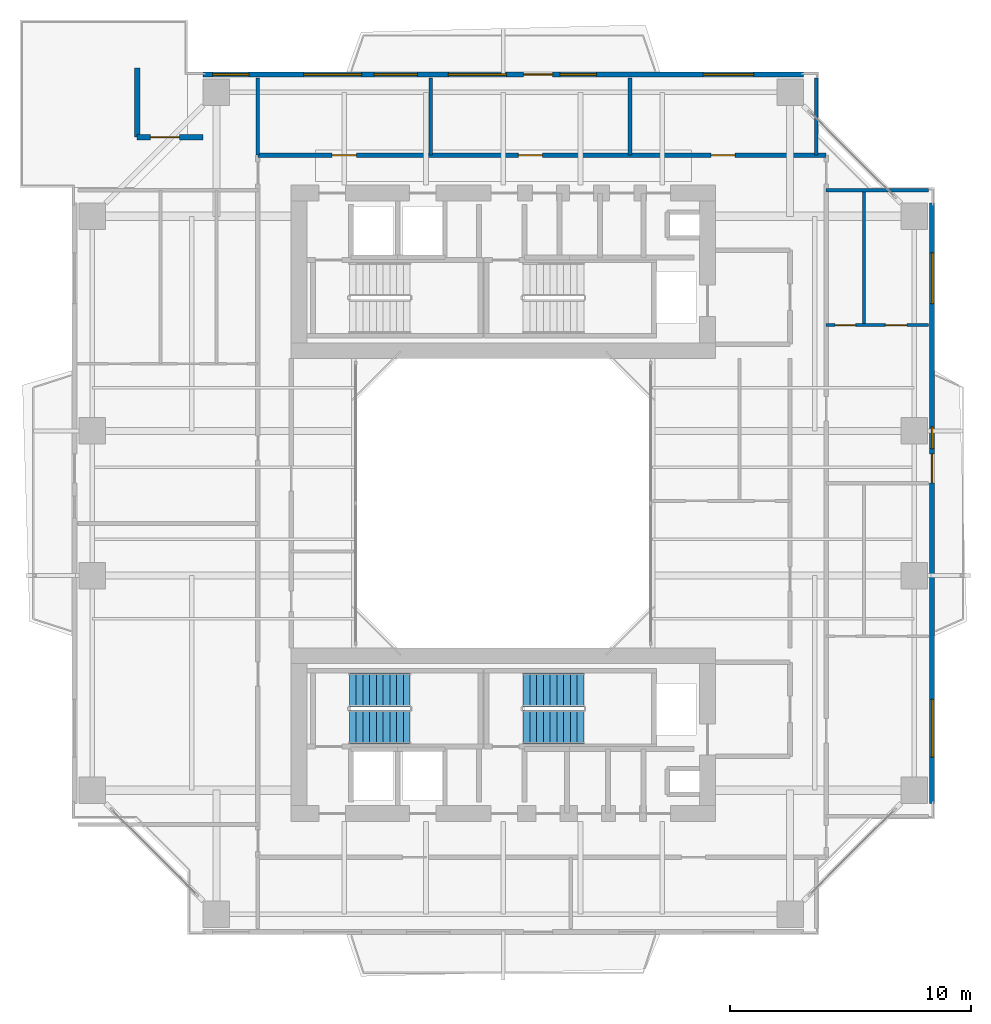
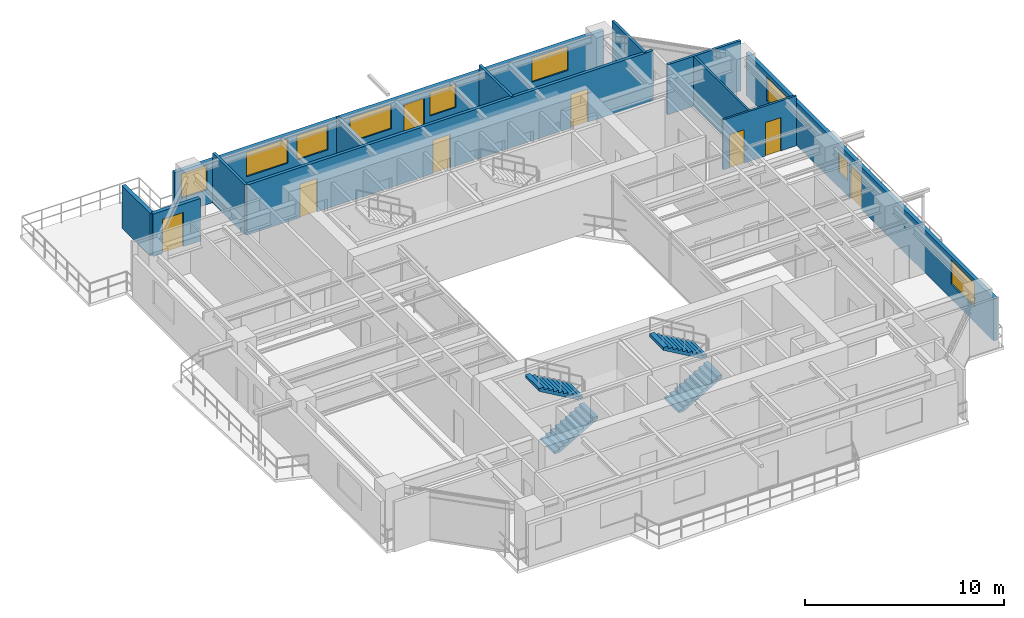
# One storey, part 13 of 17: 12 walls, 9 windows, 8 doors, 4 stair flights, 17 openings, 2 elements without a shape of their own.
"""IFC4 building model written with IfcOpenShell, lengths in metres."""

from ifc_helpers import new_model, si_unit, direction, frame, frame_2d, origin, place, context, subcontext, project, spatial, polyline, rectangle, outline, extrude, source, transform, mapped, material, layer, layer_set, type_object, element, fill, aggregate, save


model = new_model("IFC4")

# Units and contexts
model_context = context("Model", 3, precision=1e-05, world=origin(), true_north=direction((0.0, 1.0)))
body_context = subcontext(model_context, "Body", "Model", "MODEL_VIEW")
ifc_project = project(units=[si_unit("LENGTHUNIT", "METRE"), si_unit("AREAUNIT", "SQUARE_METRE"), si_unit("VOLUMEUNIT", "CUBIC_METRE"), si_unit("PLANEANGLEUNIT", "RADIAN"), si_unit("MASSUNIT", "GRAM", prefix="KILO"), si_unit("THERMODYNAMICTEMPERATUREUNIT", "KELVIN"), si_unit("POWERUNIT", "WATT")], contexts=[model_context])

# Site, building, storey
site_placement = place(None, origin())
site = spatial("IfcSite", under=ifc_project, at=site_placement, CompositionType="ELEMENT")
building_placement = place(site_placement, origin())
building = spatial("IfcBuilding", under=site, at=building_placement, Name="Qiaomeng Ring Towers", CompositionType="ELEMENT")
storey_placement = place(building_placement, frame((0.0, 0.0, 132.75)))
storey = spatial("IfcBuildingStorey", under=building, at=storey_placement, Name="L38", CompositionType="ELEMENT", Elevation=132.75)

# Wall, openings, windows, door
ifc_material_1 = material(Name="Precast concrete C40", Category="concrete")
ifc_layer_1 = layer(ifc_material_1, 0.219970703125, Name="Precast concrete C40")
ifc_layer_set_1 = layer_set([ifc_layer_1], Name="Precast concrete C40")
wall_type_1 = type_object("IfcWallType", Name="ARC-WL-EW2", PredefinedType="STANDARD", material=ifc_layer_set_1)
wall_1_placement = place(storey_placement, frame((6.550048828125, 40.7900390625, 0.0), z_axis=(0.0, 0.0, 1.0), x_axis=(1.0, 0.0, 0.0)))
wall_1 = element("IfcWall", 1, at=wall_1_placement, inside=storey, type_object=wall_type_1, Name="L38 Tower 1 N Exterior Wall", PredefinedType="STANDARD", context=body_context, shape_type="SweptSolid", body=[
    extrude(rectangle(XDim=24.89990234375, YDim=0.219970703125, at=frame_2d((12.449951171875, 0.0))), origin(), (0.0, 0.0, 1.0), 2.610107421875),
])
opening_1_placement = place(wall_1_placement, frame((13.300048828125, 0.0, 0.0)))
opening_1 = element("IfcOpeningElement", 2, at=opening_1_placement, cuts=wall_1, Name="Opening BD1", PredefinedType="OPENING", context=body_context, shape_type="SweptSolid", body=[
    extrude(rectangle(XDim=1.199951171875, YDim=2.10009765625, at=frame_2d((0.60009765625, 1.050048828125))), frame((0.0, 0.119873046875, 0.0), z_axis=(0.0, -1.0, 0.0), x_axis=(1.0, 0.0, 0.0)), (0.0, 0.0, 1.0), 0.239990234375),
])
opening_2_placement = place(wall_1_placement, frame((0.392578125, 0.0, 0.89990234375)))
opening_2 = element("IfcOpeningElement", 3, at=opening_2_placement, cuts=wall_1, Name="Opening WN2", PredefinedType="OPENING", context=body_context, shape_type="SweptSolid", body=[
    extrude(rectangle(XDim=1.5, YDim=1.5, at=frame_2d((0.75, 0.75))), frame((0.0, 0.119873046875, 0.0), z_axis=(0.0, -1.0, 0.0), x_axis=(1.0, 0.0, 0.0)), (0.0, 0.0, 1.0), 0.239990234375),
])
opening_3_placement = place(wall_1_placement, frame((7.08837890625, 0.0, 0.89990234375)))
opening_3 = element("IfcOpeningElement", 4, at=opening_3_placement, cuts=wall_1, Name="Opening WN1", PredefinedType="OPENING", context=body_context, shape_type="SweptSolid", body=[
    extrude(rectangle(XDim=1.800048828125, YDim=1.5, at=frame_2d((0.89990234375, 0.75))), frame((0.0, 0.119873046875, 0.0), z_axis=(0.0, -1.0, 0.0), x_axis=(1.0, 0.0, 0.0)), (0.0, 0.0, 1.0), 0.239990234375),
])
opening_4_placement = place(wall_1_placement, frame((14.81298828125, 0.0, 0.89990234375)))
opening_4 = element("IfcOpeningElement", 5, at=opening_4_placement, cuts=wall_1, Name="Opening WN2", PredefinedType="OPENING", context=body_context, shape_type="SweptSolid", body=[
    extrude(rectangle(XDim=1.5, YDim=1.449951171875, at=frame_2d((0.75, 0.72509765625))), frame((0.0, 0.119873046875, 0.0), z_axis=(0.0, -1.0, 0.0), x_axis=(1.0, 0.0, 0.0)), (0.0, 0.0, 1.0), 0.239990234375),
])
opening_5_placement = place(wall_1_placement, frame((20.738037109375, 0.0, 0.89990234375)))
opening_5 = element("IfcOpeningElement", 6, at=opening_5_placement, cuts=wall_1, Name="Opening WN4", PredefinedType="OPENING", context=body_context, shape_type="SweptSolid", body=[
    extrude(rectangle(XDim=2.10009765625, YDim=1.47998046875, at=frame_2d((1.050048828125, 0.739990234375))), frame((0.0, 0.119873046875, 0.0), z_axis=(0.0, -1.0, 0.0), x_axis=(1.0, 0.0, 0.0)), (0.0, 0.0, 1.0), 0.239990234375),
])
opening_6_placement = place(wall_1_placement, frame((4.17138671875, 0.0, 0.89990234375)))
opening_6 = element("IfcOpeningElement", 7, at=opening_6_placement, cuts=wall_1, Name="Opening WN6", PredefinedType="OPENING", context=body_context, shape_type="SweptSolid", body=[
    extrude(rectangle(XDim=2.39990234375, YDim=1.5, at=frame_2d((1.199951171875, 0.75))), frame((0.0, 0.119873046875, 0.0), z_axis=(0.0, -1.0, 0.0), x_axis=(1.0, 0.0, 0.0)), (0.0, 0.0, 1.0), 0.239990234375),
])
opening_7_placement = place(wall_1_placement, frame((10.177490234375, 0.0, 0.89990234375)))
opening_7 = element("IfcOpeningElement", 8, at=opening_7_placement, cuts=wall_1, Name="Opening WN6", PredefinedType="OPENING", context=body_context, shape_type="SweptSolid", body=[
    extrude(rectangle(XDim=2.39990234375, YDim=1.5, at=frame_2d((1.199951171875, 0.75))), frame((0.0, 0.119873046875, 0.0), z_axis=(0.0, -1.0, 0.0), x_axis=(1.0, 0.0, 0.0)), (0.0, 0.0, 1.0), 0.239990234375),
])
ifc_material_2 = material(Name="Low-E dark-grey laminated double glazing", Category="glass")
window_type_1 = type_object("IfcWindowType", Name="ARC-WN-2", PartitioningType="DOUBLE_PANEL_VERTICAL", PredefinedType="WINDOW", material=ifc_material_2)
shared_shape_1 = source(origin(), body_context, "Body", "SweptSolid", [
    extrude(rectangle(XDim=1.5, YDim=1.449951171875, at=frame_2d((0.75, 0.72509765625))), frame((0.0, 0.030029296875, 0.0), z_axis=(0.0, -1.0, 0.0), x_axis=(1.0, 0.0, 0.0)), (0.0, 0.0, 1.0), 0.06005859375),
])
window_1_placement = place(opening_4_placement, origin())
window_1 = element("IfcWindow", 9, at=window_1_placement, inside=storey, type_object=window_type_1, Name="L38 Exterior Window WN2", OverallHeight=1.449951171875, OverallWidth=1.5, PartitioningType="DOUBLE_PANEL_VERTICAL", PredefinedType="WINDOW", context=body_context, shape_type="MappedRepresentation", body=[
    mapped(shared_shape_1, transform((0.0, 0.0, 0.0), x_axis=(1.0, 0.0, 0.0), y_axis=(0.0, 1.0, 0.0), z_axis=(0.0, 0.0, 1.0), scale=1.0)),
])
fill(opening_4, window_1)
window_type_2 = type_object("IfcWindowType", Name="ARC-WN-4", PartitioningType="TRIPLE_PANEL_VERTICAL", PredefinedType="WINDOW", material=ifc_material_2)
shared_shape_2 = source(origin(), body_context, "Body", "SweptSolid", [
    extrude(rectangle(XDim=2.10009765625, YDim=1.47998046875, at=frame_2d((1.050048828125, 0.739990234375))), frame((0.0, 0.030029296875, 0.0), z_axis=(0.0, -1.0, 0.0), x_axis=(1.0, 0.0, 0.0)), (0.0, 0.0, 1.0), 0.06005859375),
])
window_2_placement = place(opening_5_placement, origin())
window_2 = element("IfcWindow", 10, at=window_2_placement, inside=storey, type_object=window_type_2, Name="L38 Exterior Window WN4", OverallHeight=1.47998046875, OverallWidth=2.10009765625, PartitioningType="TRIPLE_PANEL_VERTICAL", PredefinedType="WINDOW", context=body_context, shape_type="MappedRepresentation", body=[
    mapped(shared_shape_2, transform((0.0, 0.0, 0.0), x_axis=(1.0, 0.0, 0.0), y_axis=(0.0, 1.0, 0.0), z_axis=(0.0, 0.0, 1.0), scale=1.0)),
])
fill(opening_5, window_2)
door_type_1 = type_object("IfcDoorType", Name="ARC-DR-BD1", OperationType="NOTDEFINED", PredefinedType="DOOR", material=ifc_material_2)
shared_shape_3 = source(origin(), body_context, "Body", "SweptSolid", [
    extrude(rectangle(XDim=1.199951171875, YDim=2.10009765625, at=frame_2d((0.60009765625, 1.050048828125))), frame((0.0, 0.02490234375, 0.0), z_axis=(0.0, -1.0, 0.0), x_axis=(1.0, 0.0, 0.0)), (0.0, 0.0, 1.0), 0.050048828125),
])
door_1_placement = place(opening_1_placement, origin())
door_1 = element("IfcDoor", 11, at=door_1_placement, inside=storey, type_object=door_type_1, Name="L38 N Balcony Glazed Door", OperationType="SINGLE_SWING_LEFT", OverallHeight=2.10009765625, OverallWidth=1.199951171875, PredefinedType="DOOR", context=body_context, shape_type="MappedRepresentation", body=[
    mapped(shared_shape_3, transform((0.0, 0.0, 0.0), x_axis=(1.0, 0.0, 0.0), y_axis=(0.0, 1.0, 0.0), z_axis=(0.0, 0.0, 1.0), scale=1.0)),
])
fill(opening_1, door_1)
shared_shape_4 = source(origin(), body_context, "Body", "SweptSolid", [
    extrude(rectangle(XDim=1.5, YDim=1.5, at=frame_2d((0.75, 0.75))), frame((0.0, 0.030029296875, 0.0), z_axis=(0.0, -1.0, 0.0), x_axis=(1.0, 0.0, 0.0)), (0.0, 0.0, 1.0), 0.06005859375),
])
window_3_placement = place(opening_2_placement, origin())
window_3 = element("IfcWindow", 12, at=window_3_placement, inside=storey, type_object=window_type_1, Name="L38 Exterior Window WN6", OverallHeight=1.5, OverallWidth=1.5, PartitioningType="TRIPLE_PANEL_VERTICAL", PredefinedType="WINDOW", context=body_context, shape_type="MappedRepresentation", body=[
    mapped(shared_shape_4, transform((0.0, 0.0, 0.0), x_axis=(1.0, 0.0, 0.0), y_axis=(0.0, 1.0, 0.0), z_axis=(0.0, 0.0, 1.0), scale=1.0)),
])
fill(opening_2, window_3)
window_type_3 = type_object("IfcWindowType", Name="ARC-WN-6", PartitioningType="TRIPLE_PANEL_VERTICAL", PredefinedType="WINDOW", material=ifc_material_2)
shared_shape_5 = source(origin(), body_context, "Body", "SweptSolid", [
    extrude(rectangle(XDim=2.39990234375, YDim=1.5, at=frame_2d((1.199951171875, 0.75))), frame((0.0, 0.030029296875, 0.0), z_axis=(0.0, -1.0, 0.0), x_axis=(1.0, 0.0, 0.0)), (0.0, 0.0, 1.0), 0.06005859375),
])
window_4_placement = place(opening_6_placement, origin())
window_4 = element("IfcWindow", 13, at=window_4_placement, inside=storey, type_object=window_type_3, Name="L38 Exterior Window WN6", OverallHeight=1.5, OverallWidth=2.39990234375, PartitioningType="TRIPLE_PANEL_VERTICAL", PredefinedType="WINDOW", context=body_context, shape_type="MappedRepresentation", body=[
    mapped(shared_shape_5, transform((0.0, 0.0, 0.0), x_axis=(1.0, 0.0, 0.0), y_axis=(0.0, 1.0, 0.0), z_axis=(0.0, 0.0, 1.0), scale=1.0)),
])
fill(opening_6, window_4)
window_5_placement = place(opening_7_placement, origin())
window_5 = element("IfcWindow", 14, at=window_5_placement, inside=storey, type_object=window_type_3, Name="L38 Exterior Window WN6", OverallHeight=1.5, OverallWidth=2.39990234375, PartitioningType="TRIPLE_PANEL_VERTICAL", PredefinedType="WINDOW", context=body_context, shape_type="MappedRepresentation", body=[
    mapped(shared_shape_5, transform((0.0, 0.0, 0.0), x_axis=(1.0, 0.0, 0.0), y_axis=(0.0, 1.0, 0.0), z_axis=(0.0, 0.0, 1.0), scale=1.0)),
])
fill(opening_7, window_5)
window_type_4 = type_object("IfcWindowType", Name="ARC-WN-1", PartitioningType="DOUBLE_PANEL_VERTICAL", PredefinedType="WINDOW", material=ifc_material_2)
shared_shape_6 = source(origin(), body_context, "Body", "SweptSolid", [
    extrude(rectangle(XDim=1.800048828125, YDim=1.5, at=frame_2d((0.89990234375, 0.75))), frame((0.0, 0.030029296875, 0.0), z_axis=(0.0, -1.0, 0.0), x_axis=(1.0, 0.0, 0.0)), (0.0, 0.0, 1.0), 0.06005859375),
])
window_6_placement = place(opening_3_placement, origin())
window_6 = element("IfcWindow", 15, at=window_6_placement, inside=storey, type_object=window_type_4, Name="L38 Exterior Window WN1", OverallHeight=1.5, OverallWidth=1.800048828125, PartitioningType="DOUBLE_PANEL_VERTICAL", PredefinedType="WINDOW", context=body_context, shape_type="MappedRepresentation", body=[
    mapped(shared_shape_6, transform((0.0, 0.0, 0.0), x_axis=(1.0, 0.0, 0.0), y_axis=(0.0, 1.0, 0.0), z_axis=(0.0, 0.0, 1.0), scale=1.0)),
])
fill(opening_3, window_6)

wall_2_placement = place(storey_placement, frame((36.7900390625, 10.550048828125, 0.0), z_axis=(0.0, 0.0, 1.0), x_axis=(0.0, 1.0, 0.0)))
wall_2 = element("IfcWall", 16, at=wall_2_placement, inside=storey, type_object=wall_type_1, Name="L38 Tower 1 E Exterior Wall", PredefinedType="STANDARD", context=body_context, shape_type="SweptSolid", body=[
    extrude(rectangle(XDim=24.89990234375, YDim=0.219970703125, at=frame_2d((12.449951171875, 0.0))), origin(), (0.0, 0.0, 1.0), 2.610107421875),
])
opening_8_placement = place(wall_2_placement, frame((13.300048828125, 0.0, 0.0)))
opening_8 = element("IfcOpeningElement", 17, at=opening_8_placement, cuts=wall_2, Name="Opening BD1", PredefinedType="OPENING", context=body_context, shape_type="SweptSolid", body=[
    extrude(rectangle(XDim=1.199951171875, YDim=2.10009765625, at=frame_2d((0.60009765625, 1.050048828125))), frame((0.0, 0.119873046875, 0.0), z_axis=(0.0, -1.0, 0.0), x_axis=(1.0, 0.0, 0.0)), (0.0, 0.0, 1.0), 0.239990234375),
])
opening_9_placement = place(wall_2_placement, frame((1.912109375, 0.0, 0.89990234375)))
opening_9 = element("IfcOpeningElement", 18, at=opening_9_placement, cuts=wall_2, Name="Opening WN6", PredefinedType="OPENING", context=body_context, shape_type="SweptSolid", body=[
    extrude(rectangle(XDim=2.39990234375, YDim=1.47998046875, at=frame_2d((1.199951171875, 0.739990234375))), frame((0.0, 0.119873046875, 0.0), z_axis=(0.0, -1.0, 0.0), x_axis=(1.0, 0.0, 0.0)), (0.0, 0.0, 1.0), 0.239990234375),
])
opening_10_placement = place(wall_2_placement, frame((20.737060546875, 0.0, 0.89990234375)))
opening_10 = element("IfcOpeningElement", 19, at=opening_10_placement, cuts=wall_2, Name="Opening WN4", PredefinedType="OPENING", context=body_context, shape_type="SweptSolid", body=[
    extrude(rectangle(XDim=2.10009765625, YDim=1.47998046875, at=frame_2d((1.050048828125, 0.739990234375))), frame((0.0, 0.119873046875, 0.0), z_axis=(0.0, -1.0, 0.0), x_axis=(1.0, 0.0, 0.0)), (0.0, 0.0, 1.0), 0.239990234375),
])
opening_11_placement = place(wall_2_placement, frame((14.719970703125, 0.0, 0.89990234375)))
opening_11 = element("IfcOpeningElement", 20, at=opening_11_placement, cuts=wall_2, Name="Opening WN5", PredefinedType="OPENING", context=body_context, shape_type="SweptSolid", body=[
    extrude(rectangle(XDim=0.89990234375, YDim=1.199951171875, at=frame_2d((0.449951171875, 0.60009765625))), frame((0.0, 0.119873046875, 0.0), z_axis=(0.0, -1.0, 0.0), x_axis=(1.0, 0.0, 0.0)), (0.0, 0.0, 1.0), 0.239990234375),
])
window_7_placement = place(opening_10_placement, origin())
window_7 = element("IfcWindow", 21, at=window_7_placement, inside=storey, type_object=window_type_2, Name="L38 Exterior Window WN4", OverallHeight=1.47998046875, OverallWidth=2.10009765625, PartitioningType="TRIPLE_PANEL_VERTICAL", PredefinedType="WINDOW", context=body_context, shape_type="MappedRepresentation", body=[
    mapped(shared_shape_2, transform((0.0, 0.0, 0.0), x_axis=(1.0, 0.0, 0.0), y_axis=(0.0, 1.0, 0.0), z_axis=(0.0, 0.0, 1.0), scale=1.0)),
])
fill(opening_10, window_7)
shared_shape_7 = source(origin(), body_context, "Body", "SweptSolid", [
    extrude(rectangle(XDim=2.39990234375, YDim=1.47998046875, at=frame_2d((1.199951171875, 0.739990234375))), frame((0.0, 0.030029296875, 0.0), z_axis=(0.0, -1.0, 0.0), x_axis=(1.0, 0.0, 0.0)), (0.0, 0.0, 1.0), 0.06005859375),
])
window_8_placement = place(opening_9_placement, origin())
window_8 = element("IfcWindow", 22, at=window_8_placement, inside=storey, type_object=window_type_3, Name="L38 Exterior Window WN6", OverallHeight=1.47998046875, OverallWidth=2.39990234375, PartitioningType="TRIPLE_PANEL_VERTICAL", PredefinedType="WINDOW", context=body_context, shape_type="MappedRepresentation", body=[
    mapped(shared_shape_7, transform((0.0, 0.0, 0.0), x_axis=(1.0, 0.0, 0.0), y_axis=(0.0, 1.0, 0.0), z_axis=(0.0, 0.0, 1.0), scale=1.0)),
])
fill(opening_9, window_8)
door_2_placement = place(opening_8_placement, origin())
door_2 = element("IfcDoor", 23, at=door_2_placement, inside=storey, type_object=door_type_1, Name="L38 E Balcony Glazed Door", OperationType="SINGLE_SWING_LEFT", OverallHeight=2.10009765625, OverallWidth=1.199951171875, PredefinedType="DOOR", context=body_context, shape_type="MappedRepresentation", body=[
    mapped(shared_shape_3, transform((0.0, 0.0, 0.0), x_axis=(1.0, 0.0, 0.0), y_axis=(0.0, 1.0, 0.0), z_axis=(0.0, 0.0, 1.0), scale=1.0)),
])
fill(opening_8, door_2)
window_type_5 = type_object("IfcWindowType", Name="ARC-WN-5", PartitioningType="SINGLE_PANEL", PredefinedType="WINDOW", material=ifc_material_2)
shared_shape_8 = source(origin(), body_context, "Body", "SweptSolid", [
    extrude(rectangle(XDim=0.89990234375, YDim=1.199951171875, at=frame_2d((0.449951171875, 0.60009765625))), frame((0.0, 0.030029296875, 0.0), z_axis=(0.0, -1.0, 0.0), x_axis=(1.0, 0.0, 0.0)), (0.0, 0.0, 1.0), 0.06005859375),
])
window_9_placement = place(opening_11_placement, origin())
window_9 = element("IfcWindow", 24, at=window_9_placement, inside=storey, type_object=window_type_5, Name="L38 Exterior Window WN5", OverallHeight=1.199951171875, OverallWidth=0.89990234375, PartitioningType="SINGLE_PANEL", PredefinedType="WINDOW", context=body_context, shape_type="MappedRepresentation", body=[
    mapped(shared_shape_8, transform((0.0, 0.0, 0.0), x_axis=(1.0, 0.0, 0.0), y_axis=(0.0, 1.0, 0.0), z_axis=(0.0, 0.0, 1.0), scale=1.0)),
])
fill(opening_11, window_9)

# Wall, opening, door
wall_3_placement = place(storey_placement, frame((3.81005859375, 38.18994140625, 0.0), z_axis=(0.0, 0.0, 1.0), x_axis=(1.0, 0.0, 0.0)))
wall_3 = element("IfcWall", 25, at=wall_3_placement, inside=storey, type_object=wall_type_1, Name="L38 Spiral Terrace Wall NW", PredefinedType="STANDARD", context=body_context, shape_type="SweptSolid", body=[
    extrude(rectangle(XDim=2.739990234375, YDim=0.219970703125, at=frame_2d((1.3701171875, 0.0))), origin(), (0.0, 0.0, 1.0), 2.610107421875),
])
opening_12_placement = place(wall_3_placement, frame((0.550048828125, 0.0, 0.0)))
opening_12 = element("IfcOpeningElement", 26, at=opening_12_placement, cuts=wall_3, Name="Opening BD1", PredefinedType="OPENING", context=body_context, shape_type="SweptSolid", body=[
    extrude(rectangle(XDim=1.199951171875, YDim=2.10009765625, at=frame_2d((0.60009765625, 1.050048828125))), frame((0.0, 0.119873046875, 0.0), z_axis=(0.0, -1.0, 0.0), x_axis=(1.0, 0.0, 0.0)), (0.0, 0.0, 1.0), 0.239990234375),
])
door_3_placement = place(opening_12_placement, frame((1.199951171875, 0.0, 0.0), z_axis=(0.0, 0.0, 1.0), x_axis=(-1.0, 0.0, 0.0)))
door_3 = element("IfcDoor", 27, at=door_3_placement, inside=storey, type_object=door_type_1, Name="L38 Spiral Sky Terrace Door NW", OperationType="SINGLE_SWING_LEFT", OverallHeight=2.10009765625, OverallWidth=1.199951171875, PredefinedType="DOOR", context=body_context, shape_type="MappedRepresentation", body=[
    mapped(shared_shape_3, transform((0.0, 0.0, 0.0), x_axis=(1.0, 0.0, 0.0), y_axis=(0.0, 1.0, 0.0), z_axis=(0.0, 0.0, 1.0), scale=1.0)),
])
fill(opening_12, door_3)

# Wall
wall_4_placement = place(storey_placement, frame((3.81005859375, 38.18994140625, 0.0), z_axis=(0.0, 0.0, 1.0), x_axis=(0.0, 1.0, 0.0)))
element("IfcWall", 28, at=wall_4_placement, inside=storey, type_object=wall_type_1, Name="L38 Spiral Terrace Return Wall NW", PredefinedType="STANDARD", context=body_context, shape_type="SweptSolid", body=[
    extrude(rectangle(XDim=2.860107421875, YDim=0.219970703125, at=frame_2d((1.43017578125, 0.0))), origin(), (0.0, 0.0, 1.0), 2.610107421875),
])

# Wall, openings, doors
ifc_material_3 = material(Name="Autoclaved aerated concrete block", Category="concrete")
ifc_layer_2 = layer(ifc_material_3, 0.179931640625, Name="Autoclaved aerated concrete block")
ifc_layer_set_2 = layer_set([ifc_layer_2], Name="Autoclaved aerated concrete block")
wall_type_2 = type_object("IfcWallType", Name="ARC-WL-PW2", PredefinedType="PARTITIONING", material=ifc_layer_set_2)
wall_5_placement = place(storey_placement, frame((8.820068359375, 37.43994140625, 0.0), z_axis=(0.0, 0.0, 1.0), x_axis=(1.0, 0.0, 0.0)))
wall_5 = element("IfcWall", 29, at=wall_5_placement, inside=storey, type_object=wall_type_2, Name="L38 Interior Wall PW2", PredefinedType="PARTITIONING", context=body_context, shape_type="SweptSolid", body=[
    extrude(rectangle(XDim=23.579833984375, YDim=0.179931640625, at=frame_2d((11.7900390625, 0.0))), origin(), (0.0, 0.0, 1.0), 3.070068359375),
])
opening_13_placement = place(wall_5_placement, frame((3.0849609375, 0.0, 0.0)))
opening_13 = element("IfcOpeningElement", 30, at=opening_13_placement, cuts=wall_5, Name="Opening FD4", PredefinedType="OPENING", context=body_context, shape_type="SweptSolid", body=[
    extrude(rectangle(XDim=1.0, YDim=2.050048828125, at=frame_2d((0.5, 1.02490234375))), frame((0.0, 0.099853515625, 0.0), z_axis=(0.0, -1.0, 0.0), x_axis=(1.0, 0.0, 0.0)), (0.0, 0.0, 1.0), 0.199951171875),
])
opening_14_placement = place(wall_5_placement, frame((10.804931640625, 0.0, 0.0)))
opening_14 = element("IfcOpeningElement", 31, at=opening_14_placement, cuts=wall_5, Name="Opening FD4", PredefinedType="OPENING", context=body_context, shape_type="SweptSolid", body=[
    extrude(rectangle(XDim=1.0, YDim=2.050048828125, at=frame_2d((0.5, 1.02490234375))), frame((0.0, 0.099853515625, 0.0), z_axis=(0.0, -1.0, 0.0), x_axis=(1.0, 0.0, 0.0)), (0.0, 0.0, 1.0), 0.199951171875),
])
opening_15_placement = place(wall_5_placement, frame((18.800048828125, 0.0, 0.0)))
opening_15 = element("IfcOpeningElement", 32, at=opening_15_placement, cuts=wall_5, Name="Opening FD4", PredefinedType="OPENING", context=body_context, shape_type="SweptSolid", body=[
    extrude(rectangle(XDim=1.0, YDim=2.050048828125, at=frame_2d((0.5, 1.02490234375))), frame((0.0, 0.099853515625, 0.0), z_axis=(0.0, -1.0, 0.0), x_axis=(1.0, 0.0, 0.0)), (0.0, 0.0, 1.0), 0.199951171875),
])
ifc_material_4 = material(Name="Engineered fire-rated oak timber", Category="wood")
door_type_2 = type_object("IfcDoorType", Name="ARC-DR-FD4", OperationType="NOTDEFINED", PredefinedType="DOOR", material=ifc_material_4)
shared_shape_9 = source(origin(), body_context, "Body", "SweptSolid", [
    extrude(rectangle(XDim=1.0, YDim=2.050048828125, at=frame_2d((0.5, 1.02490234375))), frame((0.0, 0.02490234375, 0.0), z_axis=(0.0, -1.0, 0.0), x_axis=(1.0, 0.0, 0.0)), (0.0, 0.0, 1.0), 0.050048828125),
])
door_4_placement = place(opening_13_placement, origin())
door_4 = element("IfcDoor", 33, at=door_4_placement, inside=storey, type_object=door_type_2, Name="L38 Door FD4", OperationType="SINGLE_SWING_LEFT", OverallHeight=2.050048828125, OverallWidth=1.0, PredefinedType="DOOR", context=body_context, shape_type="MappedRepresentation", body=[
    mapped(shared_shape_9, transform((0.0, 0.0, 0.0), x_axis=(1.0, 0.0, 0.0), y_axis=(0.0, 1.0, 0.0), z_axis=(0.0, 0.0, 1.0), scale=1.0)),
])
fill(opening_13, door_4)
door_5_placement = place(opening_14_placement, origin())
door_5 = element("IfcDoor", 34, at=door_5_placement, inside=storey, type_object=door_type_2, Name="L38 Door FD4", OperationType="SINGLE_SWING_RIGHT", OverallHeight=2.050048828125, OverallWidth=1.0, PredefinedType="DOOR", context=body_context, shape_type="MappedRepresentation", body=[
    mapped(shared_shape_9, transform((0.0, 0.0, 0.0), x_axis=(1.0, 0.0, 0.0), y_axis=(0.0, 1.0, 0.0), z_axis=(0.0, 0.0, 1.0), scale=1.0)),
])
fill(opening_14, door_5)
door_6_placement = place(opening_15_placement, origin())
door_6 = element("IfcDoor", 35, at=door_6_placement, inside=storey, type_object=door_type_2, Name="L38 Door FD4", OperationType="SINGLE_SWING_LEFT", OverallHeight=2.050048828125, OverallWidth=1.0, PredefinedType="DOOR", context=body_context, shape_type="MappedRepresentation", body=[
    mapped(shared_shape_9, transform((0.0, 0.0, 0.0), x_axis=(1.0, 0.0, 0.0), y_axis=(0.0, 1.0, 0.0), z_axis=(0.0, 0.0, 1.0), scale=1.0)),
])
fill(opening_15, door_6)

# Walls
ifc_material_5 = material(Name="Gypsum fireboard steel-stud partition", Category="steel")
ifc_layer_3 = layer(ifc_material_5, 0.14990234375, Name="Gypsum fireboard steel-stud partition")
ifc_layer_set_3 = layer_set([ifc_layer_3], Name="Gypsum fireboard steel-stud partition")
wall_type_3 = type_object("IfcWallType", Name="ARC-WL-PW3", PredefinedType="PARTITIONING", material=ifc_layer_set_3)
wall_6_placement = place(storey_placement, frame((15.989990234375, 37.43994140625, 0.0), z_axis=(0.0, 0.0, 1.0), x_axis=(0.0, 1.0, 0.0)))
element("IfcWall", 36, at=wall_6_placement, inside=storey, type_object=wall_type_3, Name="L38 Interior Wall PW3", PredefinedType="PARTITIONING", context=body_context, shape_type="SweptSolid", body=[
    extrude(rectangle(XDim=3.2099609375, YDim=0.14990234375, at=frame_2d((1.60498046875, 0.0))), origin(), (0.0, 0.0, 1.0), 2.77099609375),
])
for number, where, z_axis, x_axis, name in (
    (37, (24.260009765625, 37.43994140625, 0.0), (0.0, 0.0, 1.0), (0.0, 1.0, 0.0), "L38 Interior Wall PW3"),
    (38, (8.820068359375, 37.43994140625, 0.0), (0.0, 0.0, 1.0), (0.0, 1.0, 0.0), "L38 Interior Wall PW3"),
    (39, (31.97998046875, 37.43994140625, 0.0), (0.0, 0.0, 1.0), (0.0, 1.0, 0.0), "L38 Interior Wall PW3"),
):
    element("IfcWall", number, at=place(storey_placement, frame(where, z_axis=z_axis, x_axis=x_axis)), inside=storey, type_object=wall_type_3, Name=name, PredefinedType="PARTITIONING", context=body_context, shape_type="SweptSolid", body=[
        extrude(rectangle(XDim=3.2099609375, YDim=0.14990234375, at=frame_2d((1.60498046875, 0.0))), origin(), (0.0, 0.0, 1.0), 3.070068359375),
    ])
wall_7_placement = place(storey_placement, frame((32.39990234375, 35.97998046875, 0.0), z_axis=(0.0, 0.0, 1.0), x_axis=(1.0, 0.0, 0.0)))
element("IfcWall", 40, at=wall_7_placement, inside=storey, type_object=wall_type_3, Name="L38 Interior Wall PW3", PredefinedType="PARTITIONING", context=body_context, shape_type="SweptSolid", body=[
    extrude(rectangle(XDim=4.25, YDim=0.14990234375, at=frame_2d((2.125, 0.0))), origin(), (0.0, 0.0, 1.0), 3.070068359375),
])

# Wall, openings, doors
ifc_material_6 = material(Name="Moisture-resistant gypsum steel-stud partition", Category="steel")
ifc_layer_4 = layer(ifc_material_6, 0.1201171875, Name="Moisture-resistant gypsum steel-stud partition")
ifc_layer_set_4 = layer_set([ifc_layer_4], Name="Moisture-resistant gypsum steel-stud partition")
wall_type_4 = type_object("IfcWallType", Name="ARC-WL-PW4", PredefinedType="PLUMBINGWALL", material=ifc_layer_set_4)
wall_8_placement = place(storey_placement, frame((32.39990234375, 30.389892578125, 0.0), z_axis=(0.0, 0.0, 1.0), x_axis=(1.0, 0.0, 0.0)))
wall_8 = element("IfcWall", 41, at=wall_8_placement, inside=storey, type_object=wall_type_4, Name="L38 Interior Wall PW4", PredefinedType="PLUMBINGWALL", context=body_context, shape_type="SweptSolid", body=[
    extrude(rectangle(XDim=4.25, YDim=0.1201171875, at=frame_2d((2.125, 0.0))), origin(), (0.0, 0.0, 1.0), 3.070068359375),
])
opening_16_placement = place(wall_8_placement, frame((0.3701171875, 0.0, 0.0)))
opening_16 = element("IfcOpeningElement", 42, at=opening_16_placement, cuts=wall_8, Name="Opening ID2", PredefinedType="OPENING", context=body_context, shape_type="SweptSolid", body=[
    extrude(rectangle(XDim=0.85009765625, YDim=2.050048828125, at=frame_2d((0.425048828125, 1.02490234375))), frame((0.0, 0.070068359375, 0.0), z_axis=(0.0, -1.0, 0.0), x_axis=(1.0, 0.0, 0.0)), (0.0, 0.0, 1.0), 0.14013671875),
])
opening_17_placement = place(wall_8_placement, frame((2.449951171875, 0.0, 0.0)))
opening_17 = element("IfcOpeningElement", 43, at=opening_17_placement, cuts=wall_8, Name="Opening ID1", PredefinedType="OPENING", context=body_context, shape_type="SweptSolid", body=[
    extrude(rectangle(XDim=0.89990234375, YDim=2.050048828125, at=frame_2d((0.449951171875, 1.02490234375))), frame((0.0, 0.070068359375, 0.0), z_axis=(0.0, -1.0, 0.0), x_axis=(1.0, 0.0, 0.0)), (0.0, 0.0, 1.0), 0.14013671875),
])
ifc_material_7 = material(Name="Moisture-resistant engineered timber", Category="wood")
door_type_3 = type_object("IfcDoorType", Name="ARC-DR-ID2", OperationType="NOTDEFINED", PredefinedType="DOOR", material=ifc_material_7)
shared_shape_10 = source(origin(), body_context, "Body", "SweptSolid", [
    extrude(rectangle(XDim=0.85009765625, YDim=2.050048828125, at=frame_2d((0.425048828125, 1.02490234375))), frame((0.0, 0.02490234375, 0.0), z_axis=(0.0, -1.0, 0.0), x_axis=(1.0, 0.0, 0.0)), (0.0, 0.0, 1.0), 0.050048828125),
])
door_7_placement = place(opening_16_placement, origin())
door_7 = element("IfcDoor", 44, at=door_7_placement, inside=storey, type_object=door_type_3, Name="L38 Door ID2", OperationType="SINGLE_SWING_RIGHT", OverallHeight=2.050048828125, OverallWidth=0.85009765625, PredefinedType="DOOR", context=body_context, shape_type="MappedRepresentation", body=[
    mapped(shared_shape_10, transform((0.0, 0.0, 0.0), x_axis=(1.0, 0.0, 0.0), y_axis=(0.0, 1.0, 0.0), z_axis=(0.0, 0.0, 1.0), scale=1.0)),
])
fill(opening_16, door_7)
ifc_material_8 = material(Name="Engineered oak timber", Category="wood")
door_type_4 = type_object("IfcDoorType", Name="ARC-DR-ID1", OperationType="NOTDEFINED", PredefinedType="DOOR", material=ifc_material_8)
shared_shape_11 = source(origin(), body_context, "Body", "SweptSolid", [
    extrude(rectangle(XDim=0.89990234375, YDim=2.050048828125, at=frame_2d((0.449951171875, 1.02490234375))), frame((0.0, 0.02490234375, 0.0), z_axis=(0.0, -1.0, 0.0), x_axis=(1.0, 0.0, 0.0)), (0.0, 0.0, 1.0), 0.050048828125),
])
door_8_placement = place(opening_17_placement, origin())
door_8 = element("IfcDoor", 45, at=door_8_placement, inside=storey, type_object=door_type_4, Name="L38 Door ID1", OperationType="SINGLE_SWING_LEFT", OverallHeight=2.050048828125, OverallWidth=0.89990234375, PredefinedType="DOOR", context=body_context, shape_type="MappedRepresentation", body=[
    mapped(shared_shape_11, transform((0.0, 0.0, 0.0), x_axis=(1.0, 0.0, 0.0), y_axis=(0.0, 1.0, 0.0), z_axis=(0.0, 0.0, 1.0), scale=1.0)),
])
fill(opening_17, door_8)

# Wall
wall_9_placement = place(storey_placement, frame((33.969970703125, 30.389892578125, 0.0), z_axis=(0.0, 0.0, 1.0), x_axis=(0.0, 1.0, 0.0)))
element("IfcWall", 46, at=wall_9_placement, inside=storey, type_object=wall_type_4, Name="L38 Interior Wall PW4", PredefinedType="PLUMBINGWALL", context=body_context, shape_type="SweptSolid", body=[
    extrude(rectangle(XDim=5.590087890625, YDim=0.1201171875, at=frame_2d((2.794921875, 0.0))), origin(), (0.0, 0.0, 1.0), 3.070068359375),
])

# Stair, stair flights
stair_type = type_object("IfcStairType", Name="ARC-ST-325", PredefinedType="HALF_TURN_STAIR", material=ifc_material_1)
stair_1_placement = place(storey_placement, origin())
stair_1 = element("IfcStair", 47, at=stair_1_placement, inside=storey, type_object=stair_type, Name="L38 Tower 1 South Stair 3", PredefinedType="HALF_TURN_STAIR")
stair_flight_type = type_object("IfcStairFlightType", Name="ARC-ST-325-FL", PredefinedType="STRAIGHT", material=ifc_material_1)
shared_shape_12 = source(origin(), body_context, "Body", "SweptSolid", [
    extrude(outline(polyline([(0.0, 0.0), (0.0, 0.16259765625), (0.280029296875, 0.16259765625), (0.280029296875, 0.324951171875), (0.56005859375, 0.324951171875), (0.56005859375, 0.487548828125), (0.840087890625, 0.487548828125), (0.840087890625, 0.64990234375), (1.1201171875, 0.64990234375), (1.1201171875, 0.8125), (1.39990234375, 0.8125), (1.39990234375, 0.97509765625), (1.679931640625, 0.97509765625), (1.679931640625, 1.137451171875), (1.9599609375, 1.137451171875), (1.9599609375, 1.300048828125), (2.239990234375, 1.300048828125), (2.239990234375, 1.46240234375), (2.52001953125, 1.46240234375), (2.52001953125, 1.625), (2.52001953125, 1.2890625), (0.298583984375, 0.0), (0.0, 0.0)])), frame((0.0, 0.699951171875, 0.0), z_axis=(0.0, -1.0, 0.0), x_axis=(1.0, 0.0, 0.0)), (0.0, 0.0, 1.0), 1.39990234375),
])
stair_flight_1_placement = place(storey_placement, frame((12.6201171875, 13.7099609375, 0.0), z_axis=(0.0, 0.0, 1.0), x_axis=(1.0, 0.0, 0.0)))
stair_flight_1 = element("IfcStairFlight", 48, at=stair_flight_1_placement, type_object=stair_flight_type, Name="ST3 flight 1", NumberOfRisers=10, NumberOfTreads=9, PredefinedType="STRAIGHT", RiserHeight=0.1625, TreadLength=0.28, context=body_context, shape_type="MappedRepresentation", body=[
    mapped(shared_shape_12, transform((0.0, 0.0, 0.0), x_axis=(1.0, 0.0, 0.0), y_axis=(0.0, 1.0, 0.0), z_axis=(0.0, 0.0, 1.0), scale=1.0)),
])
stair_flight_2_placement = place(storey_placement, frame((15.139892578125, 15.25, 1.625), z_axis=(0.0, 0.0, 1.0), x_axis=(-1.0, 0.0, 0.0)))
stair_flight_2 = element("IfcStairFlight", 49, at=stair_flight_2_placement, type_object=stair_flight_type, Name="ST3 flight 2", NumberOfRisers=10, NumberOfTreads=9, PredefinedType="STRAIGHT", RiserHeight=0.1625, TreadLength=0.28, context=body_context, shape_type="MappedRepresentation", body=[
    mapped(shared_shape_12, transform((0.0, 0.0, 0.0), x_axis=(1.0, 0.0, 0.0), y_axis=(0.0, 1.0, 0.0), z_axis=(0.0, 0.0, 1.0), scale=1.0)),
])
aggregate(stair_1, [stair_flight_1, stair_flight_2])

stair_2_placement = place(storey_placement, origin())
stair_2 = element("IfcStair", 50, at=stair_2_placement, inside=storey, type_object=stair_type, Name="L38 Tower 1 South Stair 4", PredefinedType="HALF_TURN_STAIR")
stair_flight_3_placement = place(storey_placement, frame((19.820068359375, 13.7099609375, 0.0), z_axis=(0.0, 0.0, 1.0), x_axis=(1.0, 0.0, 0.0)))
stair_flight_3 = element("IfcStairFlight", 51, at=stair_flight_3_placement, type_object=stair_flight_type, Name="ST4 flight 1", NumberOfRisers=10, NumberOfTreads=9, PredefinedType="STRAIGHT", RiserHeight=0.1625, TreadLength=0.28, context=body_context, shape_type="MappedRepresentation", body=[
    mapped(shared_shape_12, transform((0.0, 0.0, 0.0), x_axis=(1.0, 0.0, 0.0), y_axis=(0.0, 1.0, 0.0), z_axis=(0.0, 0.0, 1.0), scale=1.0)),
])
stair_flight_4_placement = place(storey_placement, frame((22.340087890625, 15.25, 1.625), z_axis=(0.0, 0.0, 1.0), x_axis=(-1.0, 0.0, 0.0)))
stair_flight_4 = element("IfcStairFlight", 52, at=stair_flight_4_placement, type_object=stair_flight_type, Name="ST4 flight 2", NumberOfRisers=10, NumberOfTreads=9, PredefinedType="STRAIGHT", RiserHeight=0.1625, TreadLength=0.28, context=body_context, shape_type="MappedRepresentation", body=[
    mapped(shared_shape_12, transform((0.0, 0.0, 0.0), x_axis=(1.0, 0.0, 0.0), y_axis=(0.0, 1.0, 0.0), z_axis=(0.0, 0.0, 1.0), scale=1.0)),
])
aggregate(stair_2, [stair_flight_3, stair_flight_4])

save(model, "model.ifc")
